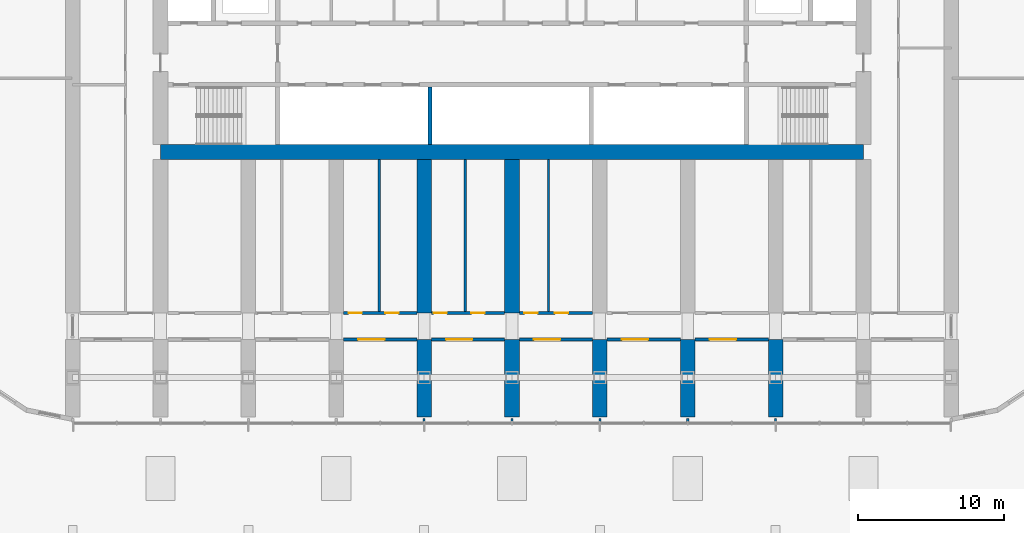
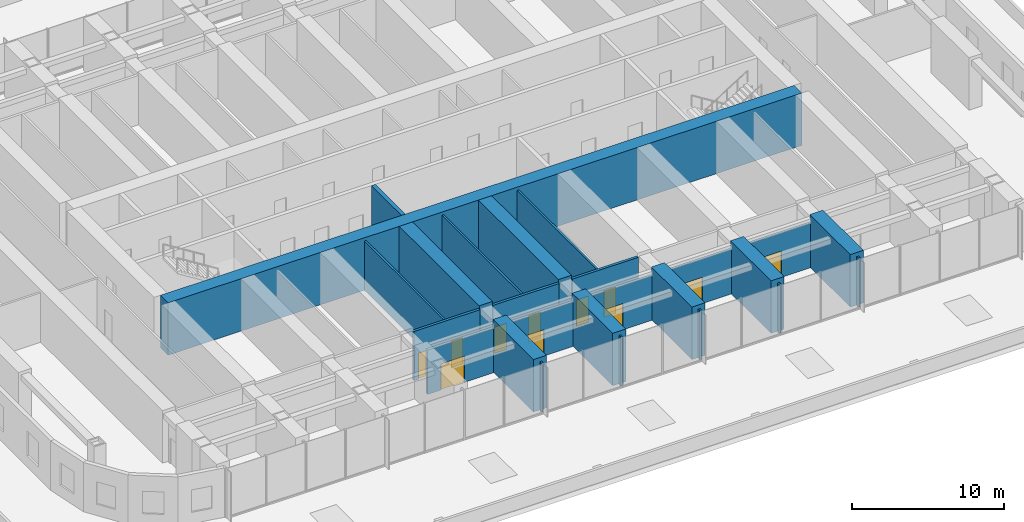
# One storey, part 11 of 23: 25 walls, 11 doors, 11 openings.
"""IFC4 building model written with IfcOpenShell, lengths in metres."""

from ifc_helpers import new_model, si_unit, direction, frame, frame_2d, origin, place, context, subcontext, project, spatial, polyline, rectangle, outline, extrude, material, layer, layer_set, type_object, element, fill, save


model = new_model("IFC4")

# Units and contexts
model_context = context("Model", 3, precision=1e-05, world=origin(), true_north=direction((0.0, 1.0)))
body_context = subcontext(model_context, "Body", "Model", "MODEL_VIEW")
ifc_project = project(units=[si_unit("LENGTHUNIT", "METRE"), si_unit("AREAUNIT", "SQUARE_METRE"), si_unit("VOLUMEUNIT", "CUBIC_METRE"), si_unit("PLANEANGLEUNIT", "RADIAN"), si_unit("MASSUNIT", "GRAM", prefix="KILO")], contexts=[model_context])

# Site, building, storey
site_placement = place(None, origin())
site = spatial("IfcSite", under=ifc_project, at=site_placement, CompositionType="ELEMENT")
building_placement = place(site_placement, origin())
building = spatial("IfcBuilding", under=site, at=building_placement, Name="Orbita Commons", CompositionType="ELEMENT")
storey_placement = place(building_placement, frame((0.0, 0.0, 16.0)))
storey = spatial("IfcBuildingStorey", under=building, at=storey_placement, Name="L03", CompositionType="ELEMENT", Elevation=16.0)

# Walls
ifc_material_1 = material(Name="Concrete C50/60", Category="concrete")
ifc_layer_1 = layer(ifc_material_1, 0.300048828125)
ifc_layer_set_1 = layer_set([ifc_layer_1], Name="Concrete C50/60")
wall_type_1 = type_object("IfcWallType", Name="Core inner wall 300 C50/60", PredefinedType="SHEAR", material=ifc_layer_set_1)
wall_1_placement = place(storey_placement, frame((36.39990234375, 26.300048828125, 0.0), z_axis=(0.0, 0.0, 1.0), x_axis=(0.0, 1.0, 0.0)))
element("IfcWall", 1, at=wall_1_placement, inside=storey, type_object=wall_type_1, Name="Hoistway division wall L03", PredefinedType="SHEAR", context=body_context, shape_type="SweptSolid", body=[
    extrude(rectangle(XDim=3.949951171875, YDim=0.300048828125, at=frame_2d((1.97509765625, 0.0))), origin(), (0.0, 0.0, 1.0), 4.199951171875),
])
ifc_material_2 = material(Name="Concrete C50/60", Category="concrete")
ifc_layer_2 = layer(ifc_material_2, 1.0)
ifc_layer_set_2 = layer_set([ifc_layer_2], Name="Concrete C50/60")
wall_type_2 = type_object("IfcWallType", Name="Core wall 1000 C50/60", PredefinedType="SHEAR", material=ifc_layer_set_2)
wall_2_placement = place(storey_placement, frame((18.0, 25.800048828125, 0.0), z_axis=(0.0, 0.0, 1.0), x_axis=(1.0, 0.0, 0.0)))
element("IfcWall", 2, at=wall_2_placement, inside=storey, type_object=wall_type_2, Name="Core spine wall south L03", PredefinedType="SHEAR", context=body_context, shape_type="SweptSolid", body=[
    extrude(rectangle(XDim=48.0, YDim=1.0, at=frame_2d((24.0, 0.0))), origin(), (0.0, 0.0, 1.0), 4.199951171875),
])

# Wall, opening, door
ifc_material_3 = material(Name="Concrete blockwork", Category="masonry")
ifc_layer_3 = layer(ifc_material_3, 0.199951171875)
ifc_layer_set_3 = layer_set([ifc_layer_3], Name="Concrete blockwork")
wall_type_3 = type_object("IfcWallType", Name="Corridor wall 200 blockwork", PredefinedType="SOLIDWALL", material=ifc_layer_set_3)
wall_3_placement = place(storey_placement, frame((30.5, 13.0, 0.0), z_axis=(0.0, 0.0, 1.0), x_axis=(1.0, 0.0, 0.0)))
wall_3 = element("IfcWall", 3, at=wall_3_placement, inside=storey, type_object=wall_type_3, Name="Corridor wall 200 blockwork L03", PredefinedType="SOLIDWALL", context=body_context, shape_type="SweptSolid", body=[
    extrude(outline(polyline([(0.0, 0.0), (5.0, 0.0), (5.0, 3.550048828125), (0.0, 3.550048828125), (0.0, 0.0)])), frame((0.0, 0.10009765625, 0.0), z_axis=(0.0, -1.0, 0.0), x_axis=(1.0, 0.0, 0.0)), (0.0, 0.0, 1.0), 0.199951171875),
])
opening_1_placement = place(wall_3_placement, frame((1.0, 0.0, 0.0)))
opening_1 = element("IfcOpeningElement", 4, at=opening_1_placement, cuts=wall_3, Name="Opening D07", PredefinedType="OPENING", context=body_context, shape_type="SweptSolid", body=[
    extrude(rectangle(XDim=1.800048828125, YDim=2.10009765625, at=frame_2d((0.89990234375, 1.050048828125))), frame((0.0, 0.10986328125, 0.0), z_axis=(0.0, -1.0, 0.0), x_axis=(1.0, 0.0, 0.0)), (0.0, 0.0, 1.0), 0.219970703125),
])
ifc_material_4 = material(Name="Steel-faced fire door leaf", Category="steel")
door_type_1 = type_object("IfcDoorType", Name="Double corridor door 20 min 1800x2100", OperationType="DOUBLE_DOOR_SINGLE_SWING", PredefinedType="DOOR", material=ifc_material_4)
door_1_placement = place(opening_1_placement, origin())
door_1 = element("IfcDoor", 5, at=door_1_placement, inside=storey, type_object=door_type_1, Name="Quiet work room L03-SF3 doors", OperationType="DOUBLE_DOOR_SINGLE_SWING", OverallHeight=2.10009765625, OverallWidth=1.800048828125, PredefinedType="DOOR", context=body_context, shape_type="SweptSolid", body=[
    extrude(rectangle(XDim=1.800048828125, YDim=2.10009765625, at=frame_2d((0.89990234375, 1.050048828125))), frame((0.0, 0.02490234375, 0.0), z_axis=(0.0, -1.0, 0.0), x_axis=(1.0, 0.0, 0.0)), (0.0, 0.0, 1.0), 0.050048828125),
])
fill(opening_1, door_1)

wall_4_placement = place(storey_placement, frame((36.5, 13.0, 0.0), z_axis=(0.0, 0.0, 1.0), x_axis=(1.0, 0.0, 0.0)))
wall_4 = element("IfcWall", 6, at=wall_4_placement, inside=storey, type_object=wall_type_3, Name="Corridor wall 200 blockwork L03", PredefinedType="SOLIDWALL", context=body_context, shape_type="SweptSolid", body=[
    extrude(outline(polyline([(0.0, 0.0), (5.0, 0.0), (5.0, 3.550048828125), (0.0, 3.550048828125), (0.0, 0.0)])), frame((0.0, 0.10009765625, 0.0), z_axis=(0.0, -1.0, 0.0), x_axis=(1.0, 0.0, 0.0)), (0.0, 0.0, 1.0), 0.199951171875),
])
opening_2_placement = place(wall_4_placement, frame((1.0, 0.0, 0.0)))
opening_2 = element("IfcOpeningElement", 7, at=opening_2_placement, cuts=wall_4, Name="Opening D07", PredefinedType="OPENING", context=body_context, shape_type="SweptSolid", body=[
    extrude(rectangle(XDim=1.800048828125, YDim=2.10009765625, at=frame_2d((0.89990234375, 1.050048828125))), frame((0.0, 0.10986328125, 0.0), z_axis=(0.0, -1.0, 0.0), x_axis=(1.0, 0.0, 0.0)), (0.0, 0.0, 1.0), 0.219970703125),
])
door_2_placement = place(opening_2_placement, origin())
door_2 = element("IfcDoor", 8, at=door_2_placement, inside=storey, type_object=door_type_1, Name="Fitness studio L03-SF4 doors", OperationType="DOUBLE_DOOR_SINGLE_SWING", OverallHeight=2.10009765625, OverallWidth=1.800048828125, PredefinedType="DOOR", context=body_context, shape_type="SweptSolid", body=[
    extrude(rectangle(XDim=1.800048828125, YDim=2.10009765625, at=frame_2d((0.89990234375, 1.050048828125))), frame((0.0, 0.02490234375, 0.0), z_axis=(0.0, -1.0, 0.0), x_axis=(1.0, 0.0, 0.0)), (0.0, 0.0, 1.0), 0.050048828125),
])
fill(opening_2, door_2)

wall_5_placement = place(storey_placement, frame((42.5, 13.0, 0.0), z_axis=(0.0, 0.0, 1.0), x_axis=(1.0, 0.0, 0.0)))
wall_5 = element("IfcWall", 9, at=wall_5_placement, inside=storey, type_object=wall_type_3, Name="Corridor wall 200 blockwork L03", PredefinedType="SOLIDWALL", context=body_context, shape_type="SweptSolid", body=[
    extrude(outline(polyline([(0.0, 0.0), (5.0, 0.0), (5.0, 3.550048828125), (0.0, 3.550048828125), (0.0, 0.0)])), frame((0.0, 0.10009765625, 0.0), z_axis=(0.0, -1.0, 0.0), x_axis=(1.0, 0.0, 0.0)), (0.0, 0.0, 1.0), 0.199951171875),
])
opening_3_placement = place(wall_5_placement, frame((1.0, 0.0, 0.0)))
opening_3 = element("IfcOpeningElement", 10, at=opening_3_placement, cuts=wall_5, Name="Opening D07", PredefinedType="OPENING", context=body_context, shape_type="SweptSolid", body=[
    extrude(rectangle(XDim=1.800048828125, YDim=2.10009765625, at=frame_2d((0.89990234375, 1.050048828125))), frame((0.0, 0.10986328125, 0.0), z_axis=(0.0, -1.0, 0.0), x_axis=(1.0, 0.0, 0.0)), (0.0, 0.0, 1.0), 0.219970703125),
])
door_3_placement = place(opening_3_placement, origin())
door_3 = element("IfcDoor", 11, at=door_3_placement, inside=storey, type_object=door_type_1, Name="Group study room L03-SF5 doors", OperationType="DOUBLE_DOOR_SINGLE_SWING", OverallHeight=2.10009765625, OverallWidth=1.800048828125, PredefinedType="DOOR", context=body_context, shape_type="SweptSolid", body=[
    extrude(rectangle(XDim=1.800048828125, YDim=2.10009765625, at=frame_2d((0.89990234375, 1.050048828125))), frame((0.0, 0.02490234375, 0.0), z_axis=(0.0, -1.0, 0.0), x_axis=(1.0, 0.0, 0.0)), (0.0, 0.0, 1.0), 0.050048828125),
])
fill(opening_3, door_3)

wall_6_placement = place(storey_placement, frame((48.5, 13.0, 0.0), z_axis=(0.0, 0.0, 1.0), x_axis=(1.0, 0.0, 0.0)))
wall_6 = element("IfcWall", 12, at=wall_6_placement, inside=storey, type_object=wall_type_3, Name="Corridor wall 200 blockwork L03", PredefinedType="SOLIDWALL", context=body_context, shape_type="SweptSolid", body=[
    extrude(outline(polyline([(0.0, 0.0), (5.0, 0.0), (5.0, 3.550048828125), (0.0, 3.550048828125), (0.0, 0.0)])), frame((0.0, 0.10009765625, 0.0), z_axis=(0.0, -1.0, 0.0), x_axis=(1.0, 0.0, 0.0)), (0.0, 0.0, 1.0), 0.199951171875),
])
opening_4_placement = place(wall_6_placement, frame((1.0, 0.0, 0.0)))
opening_4 = element("IfcOpeningElement", 13, at=opening_4_placement, cuts=wall_6, Name="Opening D07", PredefinedType="OPENING", context=body_context, shape_type="SweptSolid", body=[
    extrude(rectangle(XDim=1.800048828125, YDim=2.10009765625, at=frame_2d((0.89990234375, 1.050048828125))), frame((0.0, 0.10986328125, 0.0), z_axis=(0.0, -1.0, 0.0), x_axis=(1.0, 0.0, 0.0)), (0.0, 0.0, 1.0), 0.219970703125),
])
door_4_placement = place(opening_4_placement, origin())
door_4 = element("IfcDoor", 14, at=door_4_placement, inside=storey, type_object=door_type_1, Name="Reading room L03-SF6 doors", OperationType="DOUBLE_DOOR_SINGLE_SWING", OverallHeight=2.10009765625, OverallWidth=1.800048828125, PredefinedType="DOOR", context=body_context, shape_type="SweptSolid", body=[
    extrude(rectangle(XDim=1.800048828125, YDim=2.10009765625, at=frame_2d((0.89990234375, 1.050048828125))), frame((0.0, 0.02490234375, 0.0), z_axis=(0.0, -1.0, 0.0), x_axis=(1.0, 0.0, 0.0)), (0.0, 0.0, 1.0), 0.050048828125),
])
fill(opening_4, door_4)

wall_7_placement = place(storey_placement, frame((54.5, 13.0, 0.0), z_axis=(0.0, 0.0, 1.0), x_axis=(1.0, 0.0, 0.0)))
wall_7 = element("IfcWall", 15, at=wall_7_placement, inside=storey, type_object=wall_type_3, Name="Corridor wall 200 blockwork L03", PredefinedType="SOLIDWALL", context=body_context, shape_type="SweptSolid", body=[
    extrude(outline(polyline([(0.0, 0.0), (5.0, 0.0), (5.0, 3.550048828125), (0.0, 3.550048828125), (0.0, 0.0)])), frame((0.0, 0.10009765625, 0.0), z_axis=(0.0, -1.0, 0.0), x_axis=(1.0, 0.0, 0.0)), (0.0, 0.0, 1.0), 0.199951171875),
])
opening_5_placement = place(wall_7_placement, frame((1.0, 0.0, 0.0)))
opening_5 = element("IfcOpeningElement", 16, at=opening_5_placement, cuts=wall_7, Name="Opening D07", PredefinedType="OPENING", context=body_context, shape_type="SweptSolid", body=[
    extrude(rectangle(XDim=1.800048828125, YDim=2.10009765625, at=frame_2d((0.89990234375, 1.050048828125))), frame((0.0, 0.10986328125, 0.0), z_axis=(0.0, -1.0, 0.0), x_axis=(1.0, 0.0, 0.0)), (0.0, 0.0, 1.0), 0.219970703125),
])
door_5_placement = place(opening_5_placement, origin())
door_5 = element("IfcDoor", 17, at=door_5_placement, inside=storey, type_object=door_type_1, Name="Seminar room L03-SF7 doors", OperationType="DOUBLE_DOOR_SINGLE_SWING", OverallHeight=2.10009765625, OverallWidth=1.800048828125, PredefinedType="DOOR", context=body_context, shape_type="SweptSolid", body=[
    extrude(rectangle(XDim=1.800048828125, YDim=2.10009765625, at=frame_2d((0.89990234375, 1.050048828125))), frame((0.0, 0.02490234375, 0.0), z_axis=(0.0, -1.0, 0.0), x_axis=(1.0, 0.0, 0.0)), (0.0, 0.0, 1.0), 0.050048828125),
])
fill(opening_5, door_5)

# Wall, openings, doors
ifc_material_5 = material(Name="Hollow concrete block 200", Category="concrete")
ifc_layer_4 = layer(ifc_material_5, 0.199951171875)
ifc_layer_set_4 = layer_set([ifc_layer_4], Name="Hollow concrete block 200")
wall_type_4 = type_object("IfcWallType", Name="Corridor wall 200 hollow concrete block", PredefinedType="SOLIDWALL", material=ifc_layer_set_4)
wall_8_placement = place(storey_placement, frame((30.5, 14.800048828125, 0.0), z_axis=(0.0, 0.0, 1.0), x_axis=(1.0, 0.0, 0.0)))
wall_8 = element("IfcWall", 18, at=wall_8_placement, inside=storey, type_object=wall_type_4, Name="Corridor wall 200 hollow concrete block L03", PredefinedType="SOLIDWALL", context=body_context, shape_type="SweptSolid", body=[
    extrude(rectangle(XDim=5.0, YDim=0.199951171875, at=frame_2d((2.5, 0.0))), origin(), (0.0, 0.0, 1.0), 3.949951171875),
])
opening_6_placement = place(wall_8_placement, frame((0.35009765625, 0.0, 0.0)))
opening_6 = element("IfcOpeningElement", 19, at=opening_6_placement, cuts=wall_8, Name="Opening D11", PredefinedType="OPENING", context=body_context, shape_type="SweptSolid", body=[
    extrude(rectangle(XDim=0.89990234375, YDim=2.10009765625, at=frame_2d((0.449951171875, 1.050048828125))), frame((0.0, 0.10986328125, 0.0), z_axis=(0.0, -1.0, 0.0), x_axis=(1.0, 0.0, 0.0)), (0.0, 0.0, 1.0), 0.219970703125),
])
opening_7_placement = place(wall_8_placement, frame((2.85498046875, 0.0, 0.0)))
opening_7 = element("IfcOpeningElement", 20, at=opening_7_placement, cuts=wall_8, Name="Opening D11", PredefinedType="OPENING", context=body_context, shape_type="SweptSolid", body=[
    extrude(rectangle(XDim=0.89990234375, YDim=2.10009765625, at=frame_2d((0.449951171875, 1.050048828125))), frame((0.0, 0.10986328125, 0.0), z_axis=(0.0, -1.0, 0.0), x_axis=(1.0, 0.0, 0.0)), (0.0, 0.0, 1.0), 0.219970703125),
])
ifc_material_6 = material(Name="Steel-faced fire door leaf", Category="steel")
door_type_2 = type_object("IfcDoorType", Name="Corridor door 20 min 900x2100", OperationType="SINGLE_SWING_LEFT", PredefinedType="DOOR", material=ifc_material_6)
door_6_placement = place(opening_6_placement, origin())
door_6 = element("IfcDoor", 21, at=door_6_placement, inside=storey, type_object=door_type_2, Name="Linen cupboard L03-BDS30n door", OperationType="SINGLE_SWING_LEFT", OverallHeight=2.10009765625, OverallWidth=0.89990234375, PredefinedType="DOOR", context=body_context, shape_type="SweptSolid", body=[
    extrude(rectangle(XDim=0.89990234375, YDim=2.10009765625, at=frame_2d((0.449951171875, 1.050048828125))), frame((0.0, 0.02490234375, 0.0), z_axis=(0.0, -1.0, 0.0), x_axis=(1.0, 0.0, 0.0)), (0.0, 0.0, 1.0), 0.050048828125),
])
fill(opening_6, door_6)
door_7_placement = place(opening_7_placement, origin())
door_7 = element("IfcDoor", 22, at=door_7_placement, inside=storey, type_object=door_type_2, Name="Project room L03-BDS30 door", OperationType="SINGLE_SWING_LEFT", OverallHeight=2.10009765625, OverallWidth=0.89990234375, PredefinedType="DOOR", context=body_context, shape_type="SweptSolid", body=[
    extrude(rectangle(XDim=0.89990234375, YDim=2.10009765625, at=frame_2d((0.449951171875, 1.050048828125))), frame((0.0, 0.02490234375, 0.0), z_axis=(0.0, -1.0, 0.0), x_axis=(1.0, 0.0, 0.0)), (0.0, 0.0, 1.0), 0.050048828125),
])
fill(opening_7, door_7)

wall_9_placement = place(storey_placement, frame((36.5, 14.800048828125, 0.0), z_axis=(0.0, 0.0, 1.0), x_axis=(1.0, 0.0, 0.0)))
wall_9 = element("IfcWall", 23, at=wall_9_placement, inside=storey, type_object=wall_type_4, Name="Corridor wall 200 hollow concrete block L03", PredefinedType="SOLIDWALL", context=body_context, shape_type="SweptSolid", body=[
    extrude(rectangle(XDim=5.0, YDim=0.199951171875, at=frame_2d((2.5, 0.0))), origin(), (0.0, 0.0, 1.0), 3.949951171875),
])
opening_8_placement = place(wall_9_placement, frame((0.14990234375, 0.0, 0.0)))
opening_8 = element("IfcOpeningElement", 24, at=opening_8_placement, cuts=wall_9, Name="Opening D11", PredefinedType="OPENING", context=body_context, shape_type="SweptSolid", body=[
    extrude(rectangle(XDim=0.89990234375, YDim=2.10009765625, at=frame_2d((0.449951171875, 1.050048828125))), frame((0.0, 0.10986328125, 0.0), z_axis=(0.0, -1.0, 0.0), x_axis=(1.0, 0.0, 0.0)), (0.0, 0.0, 1.0), 0.219970703125),
])
opening_9_placement = place(wall_9_placement, frame((2.72998046875, 0.0, 0.0)))
opening_9 = element("IfcOpeningElement", 25, at=opening_9_placement, cuts=wall_9, Name="Opening D11", PredefinedType="OPENING", context=body_context, shape_type="SweptSolid", body=[
    extrude(rectangle(XDim=0.89990234375, YDim=2.10009765625, at=frame_2d((0.449951171875, 1.050048828125))), frame((0.0, 0.10986328125, 0.0), z_axis=(0.0, -1.0, 0.0), x_axis=(1.0, 0.0, 0.0)), (0.0, 0.0, 1.0), 0.219970703125),
])
door_8_placement = place(opening_8_placement, origin())
door_8 = element("IfcDoor", 26, at=door_8_placement, inside=storey, type_object=door_type_2, Name="Water heater cupboard L03-BDS36n door", OperationType="SINGLE_SWING_LEFT", OverallHeight=2.10009765625, OverallWidth=0.89990234375, PredefinedType="DOOR", context=body_context, shape_type="SweptSolid", body=[
    extrude(rectangle(XDim=0.89990234375, YDim=2.10009765625, at=frame_2d((0.449951171875, 1.050048828125))), frame((0.0, 0.02490234375, 0.0), z_axis=(0.0, -1.0, 0.0), x_axis=(1.0, 0.0, 0.0)), (0.0, 0.0, 1.0), 0.050048828125),
])
fill(opening_8, door_8)
door_9_placement = place(opening_9_placement, origin())
door_9 = element("IfcDoor", 27, at=door_9_placement, inside=storey, type_object=door_type_2, Name="Craft room L03-BDS36 door", OperationType="SINGLE_SWING_LEFT", OverallHeight=2.10009765625, OverallWidth=0.89990234375, PredefinedType="DOOR", context=body_context, shape_type="SweptSolid", body=[
    extrude(rectangle(XDim=0.89990234375, YDim=2.10009765625, at=frame_2d((0.449951171875, 1.050048828125))), frame((0.0, 0.02490234375, 0.0), z_axis=(0.0, -1.0, 0.0), x_axis=(1.0, 0.0, 0.0)), (0.0, 0.0, 1.0), 0.050048828125),
])
fill(opening_9, door_9)

wall_10_placement = place(storey_placement, frame((42.5, 14.800048828125, 0.0), z_axis=(0.0, 0.0, 1.0), x_axis=(1.0, 0.0, 0.0)))
wall_10 = element("IfcWall", 28, at=wall_10_placement, inside=storey, type_object=wall_type_4, Name="Corridor wall 200 hollow concrete block L03", PredefinedType="SOLIDWALL", context=body_context, shape_type="SweptSolid", body=[
    extrude(rectangle(XDim=5.0, YDim=0.199951171875, at=frame_2d((2.5, 0.0))), origin(), (0.0, 0.0, 1.0), 3.949951171875),
])
opening_10_placement = place(wall_10_placement, frame((0.35009765625, 0.0, 0.0)))
opening_10 = element("IfcOpeningElement", 29, at=opening_10_placement, cuts=wall_10, Name="Opening D11", PredefinedType="OPENING", context=body_context, shape_type="SweptSolid", body=[
    extrude(rectangle(XDim=0.89990234375, YDim=2.10009765625, at=frame_2d((0.449951171875, 1.050048828125))), frame((0.0, 0.10986328125, 0.0), z_axis=(0.0, -1.0, 0.0), x_axis=(1.0, 0.0, 0.0)), (0.0, 0.0, 1.0), 0.219970703125),
])
opening_11_placement = place(wall_10_placement, frame((2.425048828125, 0.0, 0.0)))
opening_11 = element("IfcOpeningElement", 30, at=opening_11_placement, cuts=wall_10, Name="Opening D11", PredefinedType="OPENING", context=body_context, shape_type="SweptSolid", body=[
    extrude(rectangle(XDim=0.89990234375, YDim=2.10009765625, at=frame_2d((0.449951171875, 1.050048828125))), frame((0.0, 0.10986328125, 0.0), z_axis=(0.0, -1.0, 0.0), x_axis=(1.0, 0.0, 0.0)), (0.0, 0.0, 1.0), 0.219970703125),
])
door_10_placement = place(opening_10_placement, origin())
door_10 = element("IfcDoor", 31, at=door_10_placement, inside=storey, type_object=door_type_2, Name="Paper and print store L03-BDS42n door", OperationType="SINGLE_SWING_LEFT", OverallHeight=2.10009765625, OverallWidth=0.89990234375, PredefinedType="DOOR", context=body_context, shape_type="SweptSolid", body=[
    extrude(rectangle(XDim=0.89990234375, YDim=2.10009765625, at=frame_2d((0.449951171875, 1.050048828125))), frame((0.0, 0.02490234375, 0.0), z_axis=(0.0, -1.0, 0.0), x_axis=(1.0, 0.0, 0.0)), (0.0, 0.0, 1.0), 0.050048828125),
])
fill(opening_10, door_10)
door_11_placement = place(opening_11_placement, origin())
door_11 = element("IfcDoor", 32, at=door_11_placement, inside=storey, type_object=door_type_2, Name="Tutorial room L03-BDS42 door", OperationType="SINGLE_SWING_LEFT", OverallHeight=2.10009765625, OverallWidth=0.89990234375, PredefinedType="DOOR", context=body_context, shape_type="SweptSolid", body=[
    extrude(rectangle(XDim=0.89990234375, YDim=2.10009765625, at=frame_2d((0.449951171875, 1.050048828125))), frame((0.0, 0.02490234375, 0.0), z_axis=(0.0, -1.0, 0.0), x_axis=(1.0, 0.0, 0.0)), (0.0, 0.0, 1.0), 0.050048828125),
])
fill(opening_11, door_11)

# Walls
ifc_material_7 = material(Name="Concrete C50/60", Category="concrete")
ifc_layer_5 = layer(ifc_material_7, 1.0)
ifc_layer_set_5 = layer_set([ifc_layer_5], Name="Concrete C50/60")
wall_type_5 = type_object("IfcWallType", Name="Cross wall 1000 C50/60", PredefinedType="SHEAR", material=ifc_layer_set_5)
wall_11_placement = place(storey_placement, frame((36.0, 7.699951171875, 0.0), z_axis=(0.0, 0.0, 1.0), x_axis=(0.0, 1.0, 0.0)))
element("IfcWall", 33, at=wall_11_placement, inside=storey, type_object=wall_type_5, Name="Cross wall 7 south outer L03", PredefinedType="SHEAR", context=body_context, shape_type="SweptSolid", body=[
    extrude(rectangle(XDim=5.300048828125, YDim=1.0, at=frame_2d((2.64990234375, 0.0))), origin(), (0.0, 0.0, 1.0), 4.199951171875),
])
wall_12_placement = place(storey_placement, frame((36.0, 14.800048828125, 0.0), z_axis=(0.0, 0.0, 1.0), x_axis=(0.0, 1.0, 0.0)))
element("IfcWall", 34, at=wall_12_placement, inside=storey, type_object=wall_type_5, Name="Cross wall 7 south inner L03", PredefinedType="SHEAR", context=body_context, shape_type="SweptSolid", body=[
    extrude(rectangle(XDim=10.5, YDim=1.0, at=frame_2d((5.25, 0.0))), origin(), (0.0, 0.0, 1.0), 4.199951171875),
])
wall_13_placement = place(storey_placement, frame((42.0, 7.699951171875, 0.0), z_axis=(0.0, 0.0, 1.0), x_axis=(0.0, 1.0, 0.0)))
element("IfcWall", 35, at=wall_13_placement, inside=storey, type_object=wall_type_5, Name="Cross wall 8 south outer L03", PredefinedType="SHEAR", context=body_context, shape_type="SweptSolid", body=[
    extrude(rectangle(XDim=5.300048828125, YDim=1.0, at=frame_2d((2.64990234375, 0.0))), origin(), (0.0, 0.0, 1.0), 4.199951171875),
])
wall_14_placement = place(storey_placement, frame((42.0, 14.800048828125, 0.0), z_axis=(0.0, 0.0, 1.0), x_axis=(0.0, 1.0, 0.0)))
element("IfcWall", 36, at=wall_14_placement, inside=storey, type_object=wall_type_5, Name="Cross wall 8 south inner L03", PredefinedType="SHEAR", context=body_context, shape_type="SweptSolid", body=[
    extrude(rectangle(XDim=10.5, YDim=1.0, at=frame_2d((5.25, 0.0))), origin(), (0.0, 0.0, 1.0), 4.199951171875),
])
for number, where, z_axis, x_axis, name in (
    (37, (48.0, 7.699951171875, 0.0), (0.0, 0.0, 1.0), (0.0, 1.0, 0.0), "Cross wall 9 south outer L03"),
    (38, (54.0, 7.699951171875, 0.0), (0.0, 0.0, 1.0), (0.0, 1.0, 0.0), "Cross wall 10 south outer L03"),
    (39, (60.0, 7.699951171875, 0.0), (0.0, 0.0, 1.0), (0.0, 1.0, 0.0), "Cross wall 11 south outer L03"),
):
    element("IfcWall", number, at=place(storey_placement, frame(where, z_axis=z_axis, x_axis=x_axis)), inside=storey, type_object=wall_type_5, Name=name, PredefinedType="SHEAR", context=body_context, shape_type="SweptSolid", body=[
        extrude(rectangle(XDim=5.300048828125, YDim=1.0, at=frame_2d((2.64990234375, 0.0))), origin(), (0.0, 0.0, 1.0), 4.199951171875),
    ])
ifc_material_8 = material(Name="Gypsum plasterboard on steel studs", Category="steel")
ifc_layer_6 = layer(ifc_material_8, 0.14990234375)
ifc_layer_set_6 = layer_set([ifc_layer_6], Name="Gypsum plasterboard on steel studs")
wall_type_6 = type_object("IfcWallType", Name="Partition 150 plasterboard", PredefinedType="PARTITIONING", material=ifc_layer_set_6)
for number, where, z_axis, x_axis, name in (
    (40, (32.929931640625, 14.89990234375, 0.0), (0.0, 0.0, 1.0), (0.0, 1.0, 0.0), "Partition 150 plasterboard L03"),
    (41, (38.804931640625, 14.89990234375, 0.0), (0.0, 0.0, 1.0), (0.0, 1.0, 0.0), "Partition 150 plasterboard L03"),
    (42, (44.5, 14.89990234375, 0.0), (0.0, 0.0, 1.0), (0.0, 1.0, 0.0), "Partition 150 plasterboard L03"),
):
    element("IfcWall", number, at=place(storey_placement, frame(where, z_axis=z_axis, x_axis=x_axis)), inside=storey, type_object=wall_type_6, Name=name, PredefinedType="PARTITIONING", context=body_context, shape_type="SweptSolid", body=[
        extrude(rectangle(XDim=10.400146484375, YDim=0.14990234375, at=frame_2d((5.2001953125, 0.0))), origin(), (0.0, 0.0, 1.0), 3.949951171875),
    ])
for number, where, z_axis, x_axis, name in (
    (43, (36.0, 7.60009765625, 0.0), (0.0, 0.0, 1.0), (0.0, -1.0, 0.0), "Partition 150 plasterboard L03"),
    (44, (42.0, 7.60009765625, 0.0), (0.0, 0.0, 1.0), (0.0, -1.0, 0.0), "Partition 150 plasterboard L03"),
    (45, (48.0, 7.60009765625, 0.0), (0.0, 0.0, 1.0), (0.0, -1.0, 0.0), "Partition 150 plasterboard L03"),
    (46, (54.0, 7.60009765625, 0.0), (0.0, 0.0, 1.0), (0.0, -1.0, 0.0), "Partition 150 plasterboard L03"),
    (47, (60.0, 7.60009765625, 0.0), (0.0, 0.0, 1.0), (0.0, -1.0, 0.0), "Partition 150 plasterboard L03"),
):
    element("IfcWall", number, at=place(storey_placement, frame(where, z_axis=z_axis, x_axis=x_axis)), inside=storey, type_object=wall_type_6, Name=name, PredefinedType="PARTITIONING", context=body_context, shape_type="SweptSolid", body=[
        extrude(rectangle(XDim=0.190185546875, YDim=0.14990234375, at=frame_2d((0.09521484375, 0.0))), origin(), (0.0, 0.0, 1.0), 3.949951171875),
    ])

save(model, "model.ifc")
